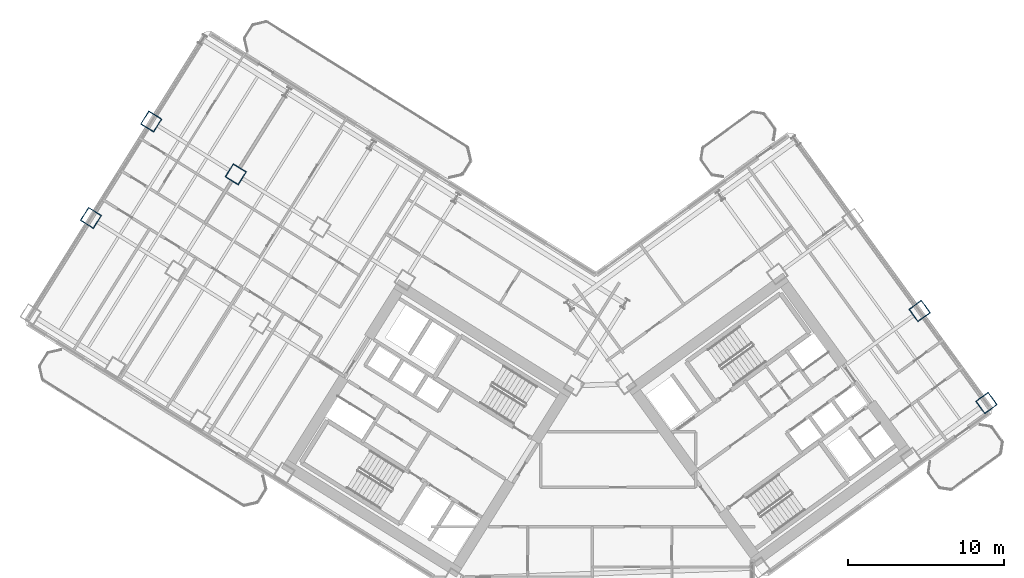
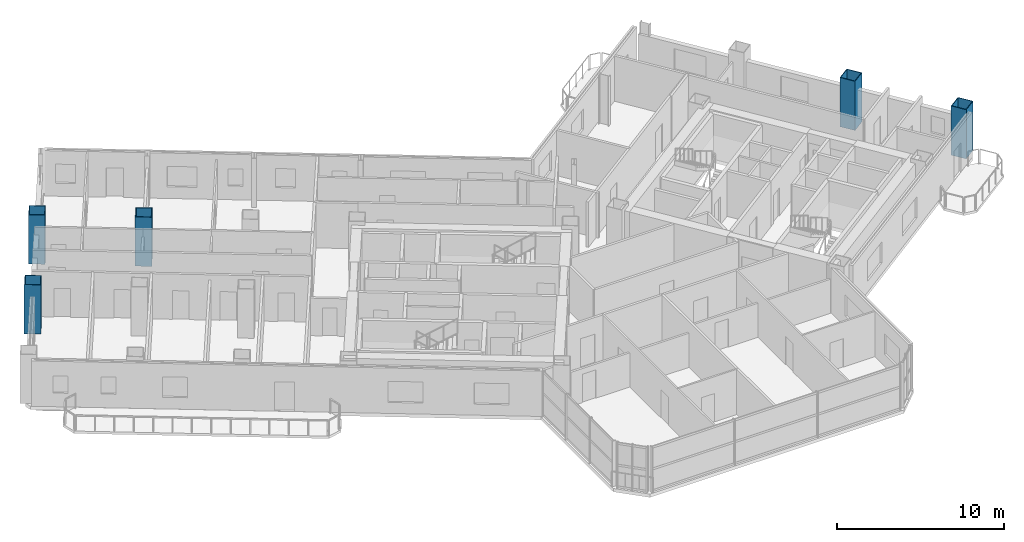
# One storey, part 2 of 21: 5 columns.
"""IFC4 building model written with IfcOpenShell, lengths in metres."""

from ifc_helpers import new_model, si_unit, direction, frame, origin, origin_2d, place, context, subcontext, project, spatial, hollow_rectangle, extrude, source, transform, mapped, material, material_profile, profile_set, type_object, element, save


model = new_model("IFC4")

# Units and contexts
model_context = context("Model", 3, precision=1e-05, world=origin(), true_north=direction((0.0, 1.0)))
body_context = subcontext(model_context, "Body", "Model", "MODEL_VIEW")
ifc_project = project(units=[si_unit("LENGTHUNIT", "METRE"), si_unit("AREAUNIT", "SQUARE_METRE"), si_unit("VOLUMEUNIT", "CUBIC_METRE"), si_unit("PLANEANGLEUNIT", "RADIAN"), si_unit("MASSUNIT", "GRAM", prefix="KILO")], contexts=[model_context])

# Site, building, storey
site_placement = place(None, origin())
site = spatial("IfcSite", under=ifc_project, at=site_placement, CompositionType="ELEMENT")
building_placement = place(site_placement, origin())
building = spatial("IfcBuilding", under=site, at=building_placement, Name="Tlacorven Tower", CompositionType="ELEMENT")
storey_placement = place(building_placement, frame((0.0, 0.0, 81.0)))
storey = spatial("IfcBuildingStorey", under=building, at=storey_placement, Name="L20", CompositionType="ELEMENT", Elevation=81.0)

# Columns
ifc_material = material(Name="Steel S460M", Category="steel")
ifc_material_profile = material_profile(ifc_material, hollow_rectangle(XDim=1.0, YDim=1.0, WallThickness=0.0400390625, at=origin_2d()), Name="BOX 1000X1000X40")
ifc_profile_set = profile_set([ifc_material_profile], Name="Steel S460M")
column_type = type_object("IfcColumnType", Name="COL-TWR-S1", PredefinedType="COLUMN", material=ifc_profile_set)
shared_shape = source(origin(), body_context, "Body", "SweptSolid", [
    extrude(hollow_rectangle(XDim=1.0, YDim=1.0, WallThickness=0.0400390625, at=origin_2d()), origin(), (0.0, 0.0, 1.0), 3.60009765625),
])
for number, where, z_axis, x_axis, name in (
    (1, (19.072998046875, 38.034423828125, 0.0), (0.0, 0.0, 1.0), (-0.848048096156, 0.529919264233, 0.0), "L20 column COL-L20-W5-2"),
    (2, (13.6455078125, 41.42578125, 0.0), (0.0, 0.0, 1.0), (-0.848048096156, 0.529919264233, 0.0), "L20 column COL-L20-W6-2"),
    (3, (9.777099609375, 35.235107421875, 0.0), (0.0, 0.0, 1.0), (-0.848048096156, 0.529919264233, 0.0), "L20 column COL-L20-W6-3"),
    (4, (67.267822265625, 23.353515625, 0.0), (0.0, 0.0, 1.0), (0.809016994375, 0.587785252292, 0.0), "L20 column COL-L20-E4-1"),
    (5, (62.976806640625, 29.25927734375, 0.0), (0.0, 0.0, 1.0), (0.809016994375, 0.587785252292, 0.0), "L20 column COL-L20-E4-2"),
):
    element("IfcColumn", number, at=place(storey_placement, frame(where, z_axis=z_axis, x_axis=x_axis)), inside=storey, type_object=column_type, Name=name, PredefinedType="COLUMN", context=body_context, shape_type="MappedRepresentation", body=[
        mapped(shared_shape, transform((0.0, 0.0, 0.0), scale=1.0)),
    ])

save(model, "model.ifc")
